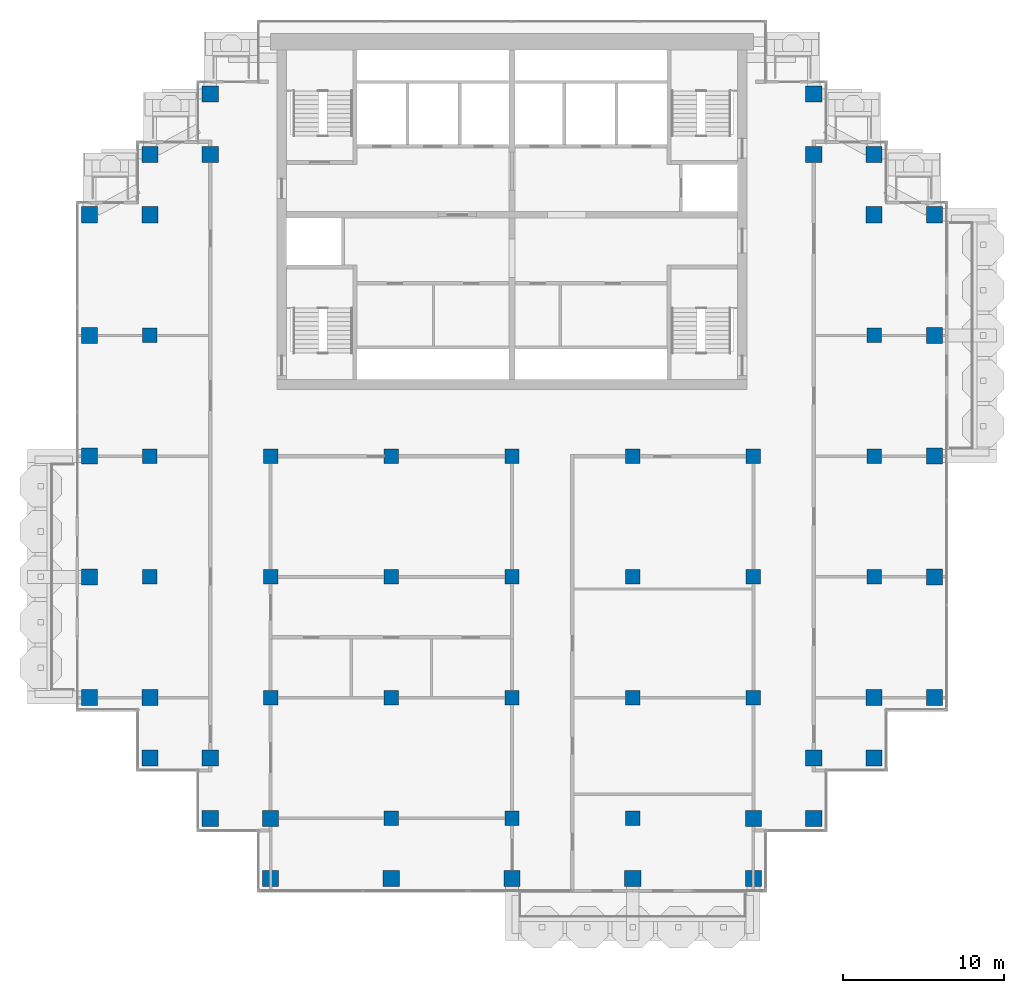
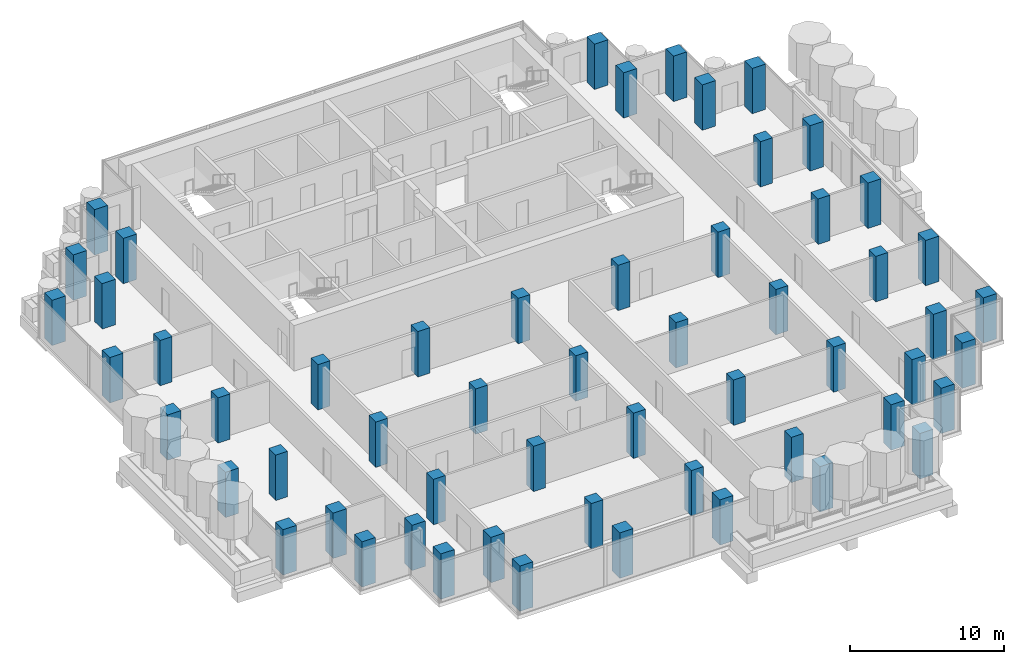
# One storey, part 1 of 18: 57 columns.
"""IFC4 building model written with IfcOpenShell, lengths in metres."""

from ifc_helpers import new_model, si_unit, direction, frame, origin, origin_2d, place, context, subcontext, project, spatial, rectangle, extrude, material, material_profile, profile_set, type_object, element, save


model = new_model("IFC4")

# Units and contexts
model_context = context("Model", 3, precision=1e-05, world=origin(), true_north=direction((0.0, 1.0)))
body_context = subcontext(model_context, "Body", "Model", "MODEL_VIEW")
ifc_project = project(units=[si_unit("LENGTHUNIT", "METRE"), si_unit("AREAUNIT", "SQUARE_METRE"), si_unit("VOLUMEUNIT", "CUBIC_METRE"), si_unit("PLANEANGLEUNIT", "RADIAN"), si_unit("MASSUNIT", "GRAM", prefix="KILO")], contexts=[model_context])

# Site, building, storey
site_placement = place(None, origin())
site = spatial("IfcSite", under=ifc_project, at=site_placement, CompositionType="ELEMENT")
building_placement = place(site_placement, origin())
building = spatial("IfcBuilding", under=site, at=building_placement, Name="Pilkhan Gate Tower", CompositionType="ELEMENT")
storey_placement = place(building_placement, frame((0.0, 0.0, 203.10009765625)))
storey = spatial("IfcBuildingStorey", under=building, at=storey_placement, Name="L52", CompositionType="ELEMENT", Elevation=203.10009765625)

# Columns
ifc_material = material(Name="Concrete C50/60", Category="concrete")
ifc_material_profile_1 = material_profile(ifc_material, rectangle(XDim=1.0, YDim=1.0, at=origin_2d()), Name="RC 1000x1000")
ifc_profile_set_1 = profile_set([ifc_material_profile_1], Name="Concrete C50/60")
column_type_1 = type_object("IfcColumnType", Name="Column C100 RC 1000x1000 C50/60", PredefinedType="COLUMN", material=ifc_profile_set_1)
for number, where, z_axis, x_axis, name in (
    (1, (48.75, 52.5, 0.0), (0.0, 0.0, 1.0), (1.0, 0.0, 0.0), "Column 4/D L52"),
    (2, (48.75, 60.0, 0.0), (0.0, 0.0, 1.0), (1.0, 0.0, 0.0), "Column 4/F L52"),
    (3, (48.75, 67.5, 0.0), (0.0, 0.0, 1.0), (1.0, 0.0, 0.0), "Column 4/H L52"),
    (4, (48.75, 75.0, 0.0), (0.0, 0.0, 1.0), (1.0, 0.0, 0.0), "Column 4/K L52"),
    (5, (48.75, 82.5, 0.0), (0.0, 0.0, 1.0), (1.0, 0.0, 0.0), "Column 4/M L52"),
    (6, (52.5, 48.75, 0.0), (0.0, 0.0, 1.0), (1.0, 0.0, 0.0), "Column 5/C L52"),
    (7, (52.5, 52.5, 0.0), (0.0, 0.0, 1.0), (1.0, 0.0, 0.0), "Column 5/D L52"),
    (8, (52.5, 82.5, 0.0), (0.0, 0.0, 1.0), (1.0, 0.0, 0.0), "Column 5/M L52"),
    (9, (52.5, 86.25, 0.0), (0.0, 0.0, 1.0), (1.0, 0.0, 0.0), "Column 5/N L52"),
    (10, (56.25, 45.0, 0.0), (0.0, 0.0, 1.0), (1.0, 0.0, 0.0), "Column 6/B L52"),
    (11, (56.25, 48.75, 0.0), (0.0, 0.0, 1.0), (1.0, 0.0, 0.0), "Column 6/C L52"),
    (12, (56.25, 86.25, 0.0), (0.0, 0.0, 1.0), (1.0, 0.0, 0.0), "Column 6/N L52"),
    (13, (56.25, 90.0, 0.0), (0.0, 0.0, 1.0), (1.0, 0.0, 0.0), "Column 6/P L52"),
    (14, (60.0, 41.25, 0.0), (0.0, 0.0, 1.0), (1.0, 0.0, 0.0), "Column 7/A L52"),
    (15, (60.0, 45.0, 0.0), (0.0, 0.0, 1.0), (1.0, 0.0, 0.0), "Column 7/B L52"),
    (16, (67.5, 41.25, 0.0), (0.0, 0.0, 1.0), (1.0, 0.0, 0.0), "Column 9/A L52"),
    (17, (75.0, 41.25, 0.0), (0.0, 0.0, 1.0), (1.0, 0.0, 0.0), "Column 11/A L52"),
    (18, (82.5, 41.25, 0.0), (0.0, 0.0, 1.0), (1.0, 0.0, 0.0), "Column 13/A L52"),
    (19, (90.0, 41.25, 0.0), (0.0, 0.0, 1.0), (1.0, 0.0, 0.0), "Column 15/A L52"),
    (20, (90.0, 45.0, 0.0), (0.0, 0.0, 1.0), (1.0, 0.0, 0.0), "Column 15/B L52"),
    (21, (93.75, 45.0, 0.0), (0.0, 0.0, 1.0), (1.0, 0.0, 0.0), "Column 16/B L52"),
    (22, (93.75, 48.75, 0.0), (0.0, 0.0, 1.0), (1.0, 0.0, 0.0), "Column 16/C L52"),
    (23, (93.75, 86.25, 0.0), (0.0, 0.0, 1.0), (1.0, 0.0, 0.0), "Column 16/N L52"),
    (24, (93.75, 90.0, 0.0), (0.0, 0.0, 1.0), (1.0, 0.0, 0.0), "Column 16/P L52"),
    (25, (97.5, 48.75, 0.0), (0.0, 0.0, 1.0), (1.0, 0.0, 0.0), "Column 17/C L52"),
    (26, (97.5, 52.5, 0.0), (0.0, 0.0, 1.0), (1.0, 0.0, 0.0), "Column 17/D L52"),
    (27, (97.5, 82.5, 0.0), (0.0, 0.0, 1.0), (1.0, 0.0, 0.0), "Column 17/M L52"),
    (28, (97.5, 86.25, 0.0), (0.0, 0.0, 1.0), (1.0, 0.0, 0.0), "Column 17/N L52"),
    (29, (101.25, 52.5, 0.0), (0.0, 0.0, 1.0), (1.0, 0.0, 0.0), "Column 18/D L52"),
    (30, (101.25, 60.0, 0.0), (0.0, 0.0, 1.0), (1.0, 0.0, 0.0), "Column 18/F L52"),
    (31, (101.25, 67.5, 0.0), (0.0, 0.0, 1.0), (1.0, 0.0, 0.0), "Column 18/H L52"),
    (32, (101.25, 75.0, 0.0), (0.0, 0.0, 1.0), (1.0, 0.0, 0.0), "Column 18/K L52"),
    (33, (101.25, 82.5, 0.0), (0.0, 0.0, 1.0), (1.0, 0.0, 0.0), "Column 18/M L52"),
):
    element("IfcColumn", number, at=place(storey_placement, frame(where, z_axis=z_axis, x_axis=x_axis)), inside=storey, type_object=column_type_1, Name=name, PredefinedType="COLUMN", context=body_context, shape_type="SweptSolid", body=[
        extrude(rectangle(XDim=1.0, YDim=1.0, at=origin_2d()), origin(), (0.0, 0.0, 1.0), 3.599853515625),
    ])
ifc_material_profile_2 = material_profile(ifc_material, rectangle(XDim=0.89990234375, YDim=0.89990234375, at=origin_2d()), Name="RC 900x900")
ifc_profile_set_2 = profile_set([ifc_material_profile_2], Name="Concrete C50/60")
column_type_2 = type_object("IfcColumnType", Name="Column C90 RC 900x900 C50/60", PredefinedType="COLUMN", material=ifc_profile_set_2)
for number, where, z_axis, x_axis, name in (
    (34, (52.5, 60.0, 0.0), (0.0, 0.0, 1.0), (1.0, 0.0, 0.0), "Column 5/F L52"),
    (35, (52.5, 67.5, 0.0), (0.0, 0.0, 1.0), (1.0, 0.0, 0.0), "Column 5/H L52"),
    (36, (52.5, 75.0, 0.0), (0.0, 0.0, 1.0), (1.0, 0.0, 0.0), "Column 5/K L52"),
    (37, (60.0, 52.5, 0.0), (0.0, 0.0, 1.0), (1.0, 0.0, 0.0), "Column 7/D L52"),
    (38, (60.0, 60.0, 0.0), (0.0, 0.0, 1.0), (1.0, 0.0, 0.0), "Column 7/F L52"),
    (39, (60.0, 67.5, 0.0), (0.0, 0.0, 1.0), (1.0, 0.0, 0.0), "Column 7/H L52"),
    (40, (67.5, 45.0, 0.0), (0.0, 0.0, 1.0), (1.0, 0.0, 0.0), "Column 9/B L52"),
    (41, (67.5, 52.5, 0.0), (0.0, 0.0, 1.0), (1.0, 0.0, 0.0), "Column 9/D L52"),
    (42, (67.5, 60.0, 0.0), (0.0, 0.0, 1.0), (1.0, 0.0, 0.0), "Column 9/F L52"),
    (43, (67.5, 67.5, 0.0), (0.0, 0.0, 1.0), (1.0, 0.0, 0.0), "Column 9/H L52"),
    (44, (75.0, 45.0, 0.0), (0.0, 0.0, 1.0), (1.0, 0.0, 0.0), "Column 11/B L52"),
    (45, (75.0, 52.5, 0.0), (0.0, 0.0, 1.0), (1.0, 0.0, 0.0), "Column 11/D L52"),
    (46, (75.0, 60.0, 0.0), (0.0, 0.0, 1.0), (1.0, 0.0, 0.0), "Column 11/F L52"),
    (47, (75.0, 67.5, 0.0), (0.0, 0.0, 1.0), (1.0, 0.0, 0.0), "Column 11/H L52"),
    (48, (82.5, 45.0, 0.0), (0.0, 0.0, 1.0), (1.0, 0.0, 0.0), "Column 13/B L52"),
    (49, (82.5, 52.5, 0.0), (0.0, 0.0, 1.0), (1.0, 0.0, 0.0), "Column 13/D L52"),
    (50, (82.5, 60.0, 0.0), (0.0, 0.0, 1.0), (1.0, 0.0, 0.0), "Column 13/F L52"),
    (51, (82.5, 67.5, 0.0), (0.0, 0.0, 1.0), (1.0, 0.0, 0.0), "Column 13/H L52"),
    (52, (90.0, 52.5, 0.0), (0.0, 0.0, 1.0), (1.0, 0.0, 0.0), "Column 15/D L52"),
    (53, (90.0, 60.0, 0.0), (0.0, 0.0, 1.0), (1.0, 0.0, 0.0), "Column 15/F L52"),
    (54, (90.0, 67.5, 0.0), (0.0, 0.0, 1.0), (1.0, 0.0, 0.0), "Column 15/H L52"),
    (55, (97.5, 60.0, 0.0), (0.0, 0.0, 1.0), (1.0, 0.0, 0.0), "Column 17/F L52"),
    (56, (97.5, 67.5, 0.0), (0.0, 0.0, 1.0), (1.0, 0.0, 0.0), "Column 17/H L52"),
    (57, (97.5, 75.0, 0.0), (0.0, 0.0, 1.0), (1.0, 0.0, 0.0), "Column 17/K L52"),
):
    element("IfcColumn", number, at=place(storey_placement, frame(where, z_axis=z_axis, x_axis=x_axis)), inside=storey, type_object=column_type_2, Name=name, PredefinedType="COLUMN", context=body_context, shape_type="SweptSolid", body=[
        extrude(rectangle(XDim=0.89990234375, YDim=0.89990234375, at=origin_2d()), origin(), (0.0, 0.0, 1.0), 3.599853515625),
    ])

save(model, "model.ifc")
